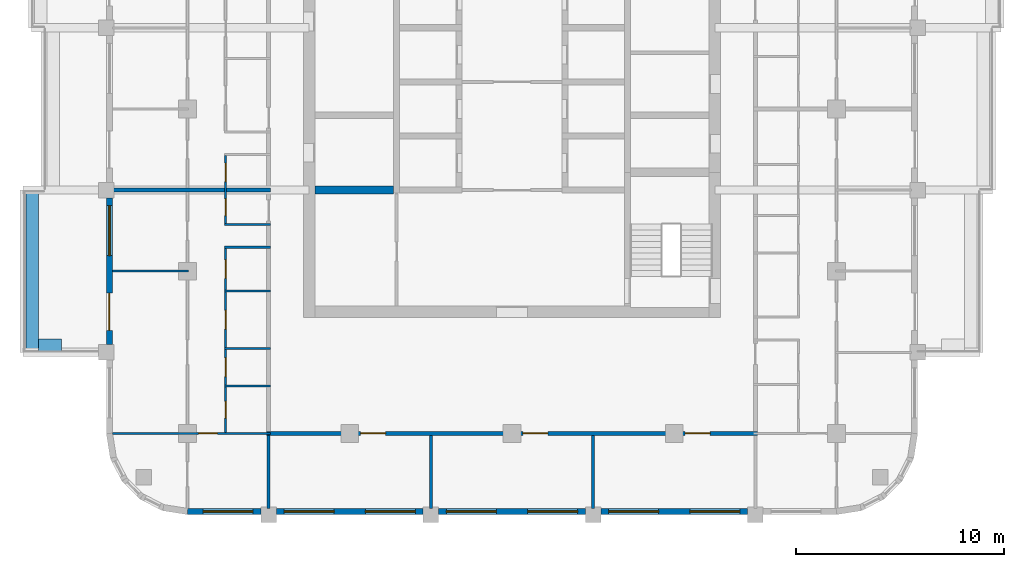
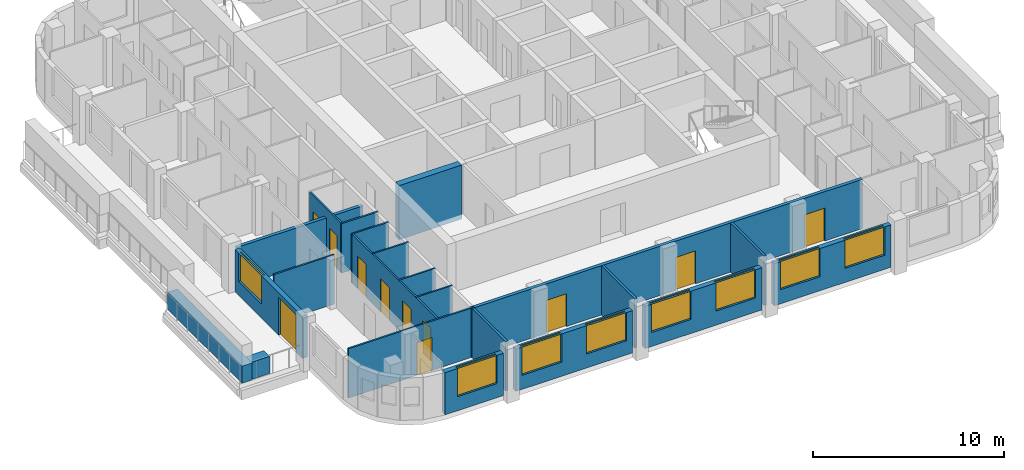
# One storey, part 2 of 13: 22 walls, 11 doors, 8 windows, 19 openings.
"""IFC4 building model written with IfcOpenShell, lengths in metres."""

import ifcopenshell
import ifcopenshell.guid

model = None  # the IFC model being written
_history = None  # IfcOwnerHistory: only IFC2X3 demands one
_inside = {}  # id of a spatial element -> (the spatial element, [elements in it])
_under = {}  # id of a project, library or spatial element -> (it, [spatial elements below it])
_declared = {}  # id of a project -> (the project, [libraries it declares])
_typed = {}  # id of a type object -> (the type object, [elements of that type])
_made_of = {}  # id of a material, layer set ... -> (it, [elements and type objects made of it])


def new_model(schema):
    """Start an empty IFC model of exactly this schema.

    Asked for "IFC4X3", IfcOpenShell would pick the latest addendum, in which some entities
    have other attributes; the version numbers below select the first issue.
    IFC2X3 requires an IfcOwnerHistory on every rooted entity: one is made here for all.
    """
    global model, _history
    if schema == "IFC4X3":
        model = ifcopenshell.file(schema_version=(4, 3, 0, 0))
    else:
        model = ifcopenshell.file(schema=schema)
    _inside.clear()
    _under.clear()
    _declared.clear()
    _typed.clear()
    _made_of.clear()
    _history = None
    if model.schema == "IFC2X3":
        org = make("IfcOrganization", Name="unknown")
        user = make(
            "IfcPersonAndOrganization",
            ThePerson=make("IfcPerson", FamilyName="unknown"),
            TheOrganization=org,
        )
        app = make(
            "IfcApplication",
            ApplicationDeveloper=org,
            Version="unknown",
            ApplicationFullName="unknown",
            ApplicationIdentifier="unknown",
        )
        _history = make(
            "IfcOwnerHistory",
            OwningUser=user,
            OwningApplication=app,
            ChangeAction="ADDED",
            CreationDate=0,
        )
    return model


def make(cls, **values):
    """One entity of the class cls with the attributes given. An attribute that is None is left unset."""
    return model.create_entity(
        cls, **{name: value for name, value in values.items() if value is not None}
    )


def rooted(cls, **values):
    """An entity with a GlobalId (a new one), such as an element, a storey or a relation."""
    return make(cls, GlobalId=ifcopenshell.guid.new(), OwnerHistory=_history, **values)


def si_unit(unit_type, name, prefix=None):
    """IfcSIUnit, for example si_unit("LENGTHUNIT", "METRE", prefix="MILLI")."""
    return make("IfcSIUnit", UnitType=unit_type, Prefix=prefix, Name=name)


def assignment(units):
    """IfcUnitAssignment: the units of a project."""
    return None if units is None else make("IfcUnitAssignment", Units=units)


def point(xyz):
    """IfcCartesianPoint."""
    return None if xyz is None else make("IfcCartesianPoint", Coordinates=xyz)


def direction(xyz):
    """IfcDirection."""
    return None if xyz is None else make("IfcDirection", DirectionRatios=xyz)


def frame(location, z_axis=None, x_axis=None):
    """IfcAxis2Placement3D, a coordinate frame: its origin and axes. An axis left out is left unset."""
    return make(
        "IfcAxis2Placement3D",
        Location=point(location),
        Axis=direction(z_axis),
        RefDirection=direction(x_axis),
    )


def frame_2d(location, x_axis=None):
    """IfcAxis2Placement2D, a coordinate frame in the plane: its origin and x axis."""
    return make(
        "IfcAxis2Placement2D", Location=point(location), RefDirection=direction(x_axis)
    )


def origin():
    """The frame at (0, 0, 0) with its axes left unset."""
    return frame((0.0, 0.0, 0.0))


def place(relative_to, where):
    """IfcLocalPlacement: puts the frame where relative to a parent placement (None: the world)."""
    return make(
        "IfcLocalPlacement", PlacementRelTo=relative_to, RelativePlacement=where
    )


def context(
    kind, dimensions, precision=None, world=None, true_north=None, identifier=None
):
    """IfcGeometricRepresentationContext, for example the 3D "Model" context."""
    return make(
        "IfcGeometricRepresentationContext",
        ContextIdentifier=identifier,
        ContextType=kind,
        CoordinateSpaceDimension=dimensions,
        Precision=precision,
        WorldCoordinateSystem=world,
        TrueNorth=true_north,
    )


def subcontext(parent, identifier, kind, view, scale=None):
    """IfcGeometricRepresentationSubContext, for example "Body" below "Model"."""
    return make(
        "IfcGeometricRepresentationSubContext",
        ContextIdentifier=identifier,
        ContextType=kind,
        ParentContext=parent,
        TargetScale=scale,
        TargetView=view,
    )


def project(units=None, contexts=None):
    """IfcProject with its units and contexts."""
    return rooted(
        "IfcProject",
        Name="project",
        RepresentationContexts=contexts,
        UnitsInContext=assignment(units),
    )


def spatial(cls, under=None, at=None, **own):
    """A site, building, storey or space (cls), placed at a placement, below another one or the project."""
    s = rooted(cls, ObjectPlacement=at, **own)
    if under is not None:
        _under.setdefault(under.id(), (under, []))[1].append(s)
    return s


def profile(cls, at=None, kind="AREA", **sizes):
    """A parametric profile (cls). Its sizes go by their IFC names, for example OverallWidth=200.0."""
    return make(cls, ProfileType=kind, Position=at, **sizes)


def rectangle(**sizes):
    """IfcRectangleProfileDef."""
    return profile("IfcRectangleProfileDef", **sizes)


def extrude(swept, where, along, depth):
    """IfcExtrudedAreaSolid: the profile swept, set in the frame where, extruded along a direction by depth."""
    return make(
        "IfcExtrudedAreaSolid",
        SweptArea=swept,
        Position=where,
        ExtrudedDirection=direction(along),
        Depth=depth,
    )


def shape(context_of_items, identifier, shape_type, items):
    """IfcShapeRepresentation: the items that make up one representation, for example the "Body"."""
    return make(
        "IfcShapeRepresentation",
        ContextOfItems=context_of_items,
        RepresentationIdentifier=identifier,
        RepresentationType=shape_type,
        Items=items,
    )


def material(Name=None, Category=None):
    """IfcMaterial."""
    return make("IfcMaterial", Name=Name, Category=Category)


def layer(
    of_material, thickness, ventilated=None, Name=None, Category=None, Priority=None
):
    """IfcMaterialLayer: one layer of a wall or slab, of a material (None: an air gap)."""
    return make(
        "IfcMaterialLayer",
        Material=of_material,
        LayerThickness=thickness,
        IsVentilated=ventilated,
        Name=Name,
        Category=Category,
        Priority=Priority,
    )


def layer_set(layers, Name=None):
    """IfcMaterialLayerSet."""
    return make("IfcMaterialLayerSet", MaterialLayers=layers, LayerSetName=Name)


def made_of(thing, what):
    """Note that an element or type object is made of a material, layer set ...; save() writes the relation."""
    if what is not None:
        _made_of.setdefault(what.id(), (what, []))[1].append(thing)
    return thing


def type_object(cls, material=None, **own):
    """A type object (cls), such as IfcWallType, which elements share."""
    return made_of(rooted(cls, **own), material)


def element(
    cls,
    number,
    at=None,
    inside=None,
    cuts=None,
    type_object=None,
    material=None,
    context=None,
    identifier="Body",
    shape_type=None,
    held_by="IfcProductDefinitionShape",
    body=None,
    shapes=None,
    **own,
):
    """One element of the class cls, such as IfcWall. Its Tag is "e" and its number.

    at: its placement. inside: the storey or other place that contains it. cuts: it is an
    opening in that element (IfcRelVoidsElement). A single representation is given by context,
    identifier, shape_type and body (its items); several are given by shapes. held_by: the class
    of the entity that holds the representations. save() writes the other relations.
    """
    e = rooted(cls, Tag="e%d" % number, ObjectPlacement=at, **own)
    if body is not None:
        shapes = [shape(context, identifier, shape_type, body)]
    if shapes is not None:
        e.Representation = make(held_by, Representations=shapes)
    if inside is not None:
        _inside.setdefault(inside.id(), (inside, []))[1].append(e)
    if cuts is not None:
        rooted(
            "IfcRelVoidsElement", RelatingBuildingElement=cuts, RelatedOpeningElement=e
        )
    if type_object is not None:
        _typed.setdefault(type_object.id(), (type_object, []))[1].append(e)
    return made_of(e, material)


def fill(opening, filler):
    """IfcRelFillsElement: the door or window that sits in an opening."""
    return rooted(
        "IfcRelFillsElement",
        RelatingOpeningElement=opening,
        RelatedBuildingElement=filler,
    )


def aggregate(whole, parts):
    """IfcRelAggregates: a whole, such as a stair, and the parts it consists of."""
    return rooted("IfcRelAggregates", RelatingObject=whole, RelatedObjects=parts)


def save(model, path):
    """Write the relations noted so far, then the file.

    IfcRelAggregates (storeys below a building ...), IfcRelContainedInSpatialStructure (elements
    in a storey), IfcRelDefinesByType, IfcRelAssociatesMaterial and IfcRelDeclares: one each for
    every whole, place, type object, material and project.
    """
    for whole, parts in _under.values():
        aggregate(whole, parts)
    for where, things in _inside.values():
        rooted(
            "IfcRelContainedInSpatialStructure",
            RelatedElements=things,
            RelatingStructure=where,
        )
    for kind, things in _typed.values():
        rooted("IfcRelDefinesByType", RelatedObjects=things, RelatingType=kind)
    for what, things in _made_of.values():
        rooted("IfcRelAssociatesMaterial", RelatedObjects=things, RelatingMaterial=what)
    for by, libraries in _declared.values():
        rooted("IfcRelDeclares", RelatingContext=by, RelatedDefinitions=libraries)
    model.write(path)


model = new_model("IFC4")

# Units and contexts
model_context = context("Model", 3, precision=1e-05, world=origin(), true_north=direction((0.0, 1.0)))
body_context = subcontext(model_context, "Body", "Model", "MODEL_VIEW")
ifc_project = project(units=[si_unit("LENGTHUNIT", "METRE"), si_unit("AREAUNIT", "SQUARE_METRE"), si_unit("VOLUMEUNIT", "CUBIC_METRE"), si_unit("PLANEANGLEUNIT", "RADIAN"), si_unit("MASSUNIT", "GRAM", prefix="KILO")], contexts=[model_context])

# Site, building, storey
site_placement = place(None, origin())
site = spatial("IfcSite", under=ifc_project, at=site_placement, CompositionType="ELEMENT")
building_placement = place(site_placement, origin())
building = spatial("IfcBuilding", under=site, at=building_placement, Name="Ludao Terraces", CompositionType="ELEMENT")
storey_placement = place(building_placement, frame((0.0, 0.0, 148.60009765625)))
storey = spatial("IfcBuildingStorey", under=building, at=storey_placement, Name="L40", CompositionType="ELEMENT", Elevation=148.60009765625)

# Walls
ifc_material_1 = material(Name="Concrete C40", Category="concrete")
ifc_layer_1 = layer(ifc_material_1, 0.60009765625)
ifc_layer_set_1 = layer_set([ifc_layer_1], Name="ENV Planter trough 600")
wall_type_1 = type_object("IfcWallType", Name="ENV Planter trough 600", PredefinedType="USERDEFINED", material=ifc_layer_set_1)
wall_1_placement = place(storey_placement, frame((61.949951171875, 53.300048828125, 0.0), z_axis=(0.0, 0.0, 1.0), x_axis=(0.0, 1.0, 0.0)))
element("IfcWall", 1, at=wall_1_placement, inside=storey, type_object=wall_type_1, Name="PL-L40-W1", ObjectType="PLANTER", PredefinedType="USERDEFINED", context=body_context, shape_type="SweptSolid", body=[
    extrude(rectangle(XDim=7.800048828125, YDim=0.60009765625, at=frame_2d((3.89990234375, 0.0))), origin(), (0.0, 0.0, 1.0), 1.099853515625),
])
wall_2_placement = place(storey_placement, frame((62.25, 53.64990234375, 0.0), z_axis=(0.0, 0.0, 1.0), x_axis=(1.0, 0.0, 0.0)))
element("IfcWall", 2, at=wall_2_placement, inside=storey, type_object=wall_type_1, Name="PL-L40-W1-SA", ObjectType="PLANTER", PredefinedType="USERDEFINED", context=body_context, shape_type="SweptSolid", body=[
    extrude(rectangle(XDim=1.10009765625, YDim=0.60009765625, at=frame_2d((0.550048828125, 0.0))), origin(), (0.0, 0.0, 1.0), 1.099853515625),
])

# Wall, opening, window
ifc_material_2 = material(Name="Granite cladding", Category="masonry")
ifc_layer_2 = layer(ifc_material_2, 0.0400390625, Category="stone")
ifc_material_3 = material(Name="Mineral wool")
ifc_layer_3 = layer(ifc_material_3, 0.06005859375)
ifc_layer_4 = layer(ifc_material_1, 0.199951171875, Category="concrete")
ifc_layer_set_2 = layer_set([ifc_layer_2, ifc_layer_3, ifc_layer_4], Name="ENV Stone-clad wall 300")
wall_type_2 = type_object("IfcWallType", Name="ENV Stone-clad wall 300", PredefinedType="SOLIDWALL", material=ifc_layer_set_2)
wall_3_placement = place(storey_placement, frame((69.39990234375, 45.64990234375, 0.0), z_axis=(0.0, 0.0, 1.0), x_axis=(1.0, 0.0, 0.0)))
wall_3 = element("IfcWall", 3, at=wall_3_placement, inside=storey, type_object=wall_type_2, Name="EW-L40-S1", PredefinedType="SOLIDWALL", context=body_context, shape_type="SweptSolid", body=[
    extrude(rectangle(XDim=3.525146484375, YDim=0.300048828125, at=frame_2d((1.7626953125, 0.0))), origin(), (0.0, 0.0, 1.0), 2.699951171875),
])
opening_1_placement = place(wall_3_placement, frame((0.75, 0.0, 0.89990234375)))
opening_1 = element("IfcOpeningElement", 4, at=opening_1_placement, cuts=wall_3, Name="Opening W1", PredefinedType="OPENING", context=body_context, shape_type="SweptSolid", body=[
    extrude(rectangle(XDim=2.39990234375, YDim=1.800048828125, at=frame_2d((1.199951171875, 0.89990234375))), frame((0.0, 0.16015625, 0.0), z_axis=(0.0, -1.0, 0.0), x_axis=(1.0, 0.0, 0.0)), (0.0, 0.0, 1.0), 0.320068359375),
])
ifc_material_4 = material(Name="Clear glass in aluminium frame", Category="aluminium")
ifc_layer_5 = layer(ifc_material_4, 0.06005859375)
ifc_layer_set_3 = layer_set([ifc_layer_5], Name="ENV Window W1 2400x1800")
window_type = type_object("IfcWindowType", Name="ENV Window W1 2400x1800", PartitioningType="DOUBLE_PANEL_VERTICAL", PredefinedType="WINDOW", material=ifc_layer_set_3)
window_1_placement = place(opening_1_placement, origin())
window_1 = element("IfcWindow", 5, at=window_1_placement, inside=storey, type_object=window_type, Name="W-L40-S1-1", OverallHeight=1.800048828125, OverallWidth=2.39990234375, PartitioningType="DOUBLE_PANEL_VERTICAL", PredefinedType="WINDOW", context=body_context, shape_type="SweptSolid", body=[
    extrude(rectangle(XDim=2.39990234375, YDim=1.800048828125, at=frame_2d((1.199951171875, 0.89990234375))), frame((0.0, 0.030029296875, 0.0), z_axis=(0.0, -1.0, 0.0), x_axis=(1.0, 0.0, 0.0)), (0.0, 0.0, 1.0), 0.06005859375),
])
fill(opening_1, window_1)

# Wall, openings, windows
wall_4_placement = place(storey_placement, frame((73.675048828125, 45.64990234375, 0.0), z_axis=(0.0, 0.0, 1.0), x_axis=(1.0, 0.0, 0.0)))
wall_4 = element("IfcWall", 6, at=wall_4_placement, inside=storey, type_object=wall_type_2, Name="EW-L40-S2", PredefinedType="SOLIDWALL", context=body_context, shape_type="SweptSolid", body=[
    extrude(rectangle(XDim=7.050048828125, YDim=0.300048828125, at=frame_2d((3.52490234375, 0.0))), origin(), (0.0, 0.0, 1.0), 2.699951171875),
])
opening_2_placement = place(wall_4_placement, frame((0.375, 0.0, 0.89990234375)))
opening_2 = element("IfcOpeningElement", 7, at=opening_2_placement, cuts=wall_4, Name="Opening W1", PredefinedType="OPENING", context=body_context, shape_type="SweptSolid", body=[
    extrude(rectangle(XDim=2.39990234375, YDim=1.800048828125, at=frame_2d((1.199951171875, 0.89990234375))), frame((0.0, 0.16015625, 0.0), z_axis=(0.0, -1.0, 0.0), x_axis=(1.0, 0.0, 0.0)), (0.0, 0.0, 1.0), 0.320068359375),
])
opening_3_placement = place(wall_4_placement, frame((4.27490234375, 0.0, 0.89990234375)))
opening_3 = element("IfcOpeningElement", 8, at=opening_3_placement, cuts=wall_4, Name="Opening W1", PredefinedType="OPENING", context=body_context, shape_type="SweptSolid", body=[
    extrude(rectangle(XDim=2.39990234375, YDim=1.800048828125, at=frame_2d((1.199951171875, 0.89990234375))), frame((0.0, 0.16015625, 0.0), z_axis=(0.0, -1.0, 0.0), x_axis=(1.0, 0.0, 0.0)), (0.0, 0.0, 1.0), 0.320068359375),
])
window_2_placement = place(opening_2_placement, origin())
window_2 = element("IfcWindow", 9, at=window_2_placement, inside=storey, type_object=window_type, Name="W-L40-S2-1", OverallHeight=1.800048828125, OverallWidth=2.39990234375, PartitioningType="DOUBLE_PANEL_VERTICAL", PredefinedType="WINDOW", context=body_context, shape_type="SweptSolid", body=[
    extrude(rectangle(XDim=2.39990234375, YDim=1.800048828125, at=frame_2d((1.199951171875, 0.89990234375))), frame((0.0, 0.030029296875, 0.0), z_axis=(0.0, -1.0, 0.0), x_axis=(1.0, 0.0, 0.0)), (0.0, 0.0, 1.0), 0.06005859375),
])
fill(opening_2, window_2)
window_3_placement = place(opening_3_placement, origin())
window_3 = element("IfcWindow", 10, at=window_3_placement, inside=storey, type_object=window_type, Name="W-L40-S2-2", OverallHeight=1.800048828125, OverallWidth=2.39990234375, PartitioningType="DOUBLE_PANEL_VERTICAL", PredefinedType="WINDOW", context=body_context, shape_type="SweptSolid", body=[
    extrude(rectangle(XDim=2.39990234375, YDim=1.800048828125, at=frame_2d((1.199951171875, 0.89990234375))), frame((0.0, 0.030029296875, 0.0), z_axis=(0.0, -1.0, 0.0), x_axis=(1.0, 0.0, 0.0)), (0.0, 0.0, 1.0), 0.06005859375),
])
fill(opening_3, window_3)

wall_5_placement = place(storey_placement, frame((81.47509765625, 45.64990234375, 0.0), z_axis=(0.0, 0.0, 1.0), x_axis=(1.0, 0.0, 0.0)))
wall_5 = element("IfcWall", 11, at=wall_5_placement, inside=storey, type_object=wall_type_2, Name="EW-L40-S3", PredefinedType="SOLIDWALL", context=body_context, shape_type="SweptSolid", body=[
    extrude(rectangle(XDim=7.0498046875, YDim=0.300048828125, at=frame_2d((3.52490234375, 0.0))), origin(), (0.0, 0.0, 1.0), 2.699951171875),
])
opening_4_placement = place(wall_5_placement, frame((0.375, 0.0, 0.89990234375)))
opening_4 = element("IfcOpeningElement", 12, at=opening_4_placement, cuts=wall_5, Name="Opening W1", PredefinedType="OPENING", context=body_context, shape_type="SweptSolid", body=[
    extrude(rectangle(XDim=2.39990234375, YDim=1.800048828125, at=frame_2d((1.199951171875, 0.89990234375))), frame((0.0, 0.16015625, 0.0), z_axis=(0.0, -1.0, 0.0), x_axis=(1.0, 0.0, 0.0)), (0.0, 0.0, 1.0), 0.320068359375),
])
opening_5_placement = place(wall_5_placement, frame((4.27490234375, 0.0, 0.89990234375)))
opening_5 = element("IfcOpeningElement", 13, at=opening_5_placement, cuts=wall_5, Name="Opening W1", PredefinedType="OPENING", context=body_context, shape_type="SweptSolid", body=[
    extrude(rectangle(XDim=2.39990234375, YDim=1.800048828125, at=frame_2d((1.199951171875, 0.89990234375))), frame((0.0, 0.16015625, 0.0), z_axis=(0.0, -1.0, 0.0), x_axis=(1.0, 0.0, 0.0)), (0.0, 0.0, 1.0), 0.320068359375),
])
window_4_placement = place(opening_4_placement, origin())
window_4 = element("IfcWindow", 14, at=window_4_placement, inside=storey, type_object=window_type, Name="W-L40-S3-1", OverallHeight=1.800048828125, OverallWidth=2.39990234375, PartitioningType="DOUBLE_PANEL_VERTICAL", PredefinedType="WINDOW", context=body_context, shape_type="SweptSolid", body=[
    extrude(rectangle(XDim=2.39990234375, YDim=1.800048828125, at=frame_2d((1.199951171875, 0.89990234375))), frame((0.0, 0.030029296875, 0.0), z_axis=(0.0, -1.0, 0.0), x_axis=(1.0, 0.0, 0.0)), (0.0, 0.0, 1.0), 0.06005859375),
])
fill(opening_4, window_4)
window_5_placement = place(opening_5_placement, origin())
window_5 = element("IfcWindow", 15, at=window_5_placement, inside=storey, type_object=window_type, Name="W-L40-S3-2", OverallHeight=1.800048828125, OverallWidth=2.39990234375, PartitioningType="DOUBLE_PANEL_VERTICAL", PredefinedType="WINDOW", context=body_context, shape_type="SweptSolid", body=[
    extrude(rectangle(XDim=2.39990234375, YDim=1.800048828125, at=frame_2d((1.199951171875, 0.89990234375))), frame((0.0, 0.030029296875, 0.0), z_axis=(0.0, -1.0, 0.0), x_axis=(1.0, 0.0, 0.0)), (0.0, 0.0, 1.0), 0.06005859375),
])
fill(opening_5, window_5)

wall_6_placement = place(storey_placement, frame((89.27490234375, 45.64990234375, 0.0), z_axis=(0.0, 0.0, 1.0), x_axis=(1.0, 0.0, 0.0)))
wall_6 = element("IfcWall", 16, at=wall_6_placement, inside=storey, type_object=wall_type_2, Name="EW-L40-S4", PredefinedType="SOLIDWALL", context=body_context, shape_type="SweptSolid", body=[
    extrude(rectangle(XDim=7.050048828125, YDim=0.300048828125, at=frame_2d((3.52490234375, 0.0))), origin(), (0.0, 0.0, 1.0), 2.699951171875),
])
opening_6_placement = place(wall_6_placement, frame((0.375, 0.0, 0.89990234375)))
opening_6 = element("IfcOpeningElement", 17, at=opening_6_placement, cuts=wall_6, Name="Opening W1", PredefinedType="OPENING", context=body_context, shape_type="SweptSolid", body=[
    extrude(rectangle(XDim=2.39990234375, YDim=1.800048828125, at=frame_2d((1.199951171875, 0.89990234375))), frame((0.0, 0.16015625, 0.0), z_axis=(0.0, -1.0, 0.0), x_axis=(1.0, 0.0, 0.0)), (0.0, 0.0, 1.0), 0.320068359375),
])
opening_7_placement = place(wall_6_placement, frame((4.27490234375, 0.0, 0.89990234375)))
opening_7 = element("IfcOpeningElement", 18, at=opening_7_placement, cuts=wall_6, Name="Opening W1", PredefinedType="OPENING", context=body_context, shape_type="SweptSolid", body=[
    extrude(rectangle(XDim=2.39990234375, YDim=1.800048828125, at=frame_2d((1.199951171875, 0.89990234375))), frame((0.0, 0.16015625, 0.0), z_axis=(0.0, -1.0, 0.0), x_axis=(1.0, 0.0, 0.0)), (0.0, 0.0, 1.0), 0.320068359375),
])
window_6_placement = place(opening_6_placement, origin())
window_6 = element("IfcWindow", 19, at=window_6_placement, inside=storey, type_object=window_type, Name="W-L40-S4-1", OverallHeight=1.800048828125, OverallWidth=2.39990234375, PartitioningType="DOUBLE_PANEL_VERTICAL", PredefinedType="WINDOW", context=body_context, shape_type="SweptSolid", body=[
    extrude(rectangle(XDim=2.39990234375, YDim=1.800048828125, at=frame_2d((1.199951171875, 0.89990234375))), frame((0.0, 0.030029296875, 0.0), z_axis=(0.0, -1.0, 0.0), x_axis=(1.0, 0.0, 0.0)), (0.0, 0.0, 1.0), 0.06005859375),
])
fill(opening_6, window_6)
window_7_placement = place(opening_7_placement, origin())
window_7 = element("IfcWindow", 20, at=window_7_placement, inside=storey, type_object=window_type, Name="W-L40-S4-2", OverallHeight=1.800048828125, OverallWidth=2.39990234375, PartitioningType="DOUBLE_PANEL_VERTICAL", PredefinedType="WINDOW", context=body_context, shape_type="SweptSolid", body=[
    extrude(rectangle(XDim=2.39990234375, YDim=1.800048828125, at=frame_2d((1.199951171875, 0.89990234375))), frame((0.0, 0.030029296875, 0.0), z_axis=(0.0, -1.0, 0.0), x_axis=(1.0, 0.0, 0.0)), (0.0, 0.0, 1.0), 0.06005859375),
])
fill(opening_7, window_7)

# Wall, openings, door, window
wall_7_placement = place(storey_placement, frame((65.64990234375, 53.675048828125, 0.0), z_axis=(0.0, 0.0, 1.0), x_axis=(0.0, 1.0, 0.0)))
wall_7 = element("IfcWall", 21, at=wall_7_placement, inside=storey, type_object=wall_type_2, Name="EW-L40-W2", PredefinedType="SOLIDWALL", context=body_context, shape_type="SweptSolid", body=[
    extrude(rectangle(XDim=7.050048828125, YDim=0.300048828125, at=frame_2d((3.52490234375, 0.0))), origin(), (0.0, 0.0, 1.0), 2.699951171875),
])
opening_8_placement = place(wall_7_placement, frame((0.675048828125, 0.0, 0.0)))
opening_8 = element("IfcOpeningElement", 22, at=opening_8_placement, cuts=wall_7, Name="Opening BD", PredefinedType="OPENING", context=body_context, shape_type="SweptSolid", body=[
    extrude(rectangle(XDim=1.800048828125, YDim=2.39990234375, at=frame_2d((0.89990234375, 1.199951171875))), frame((0.0, 0.16015625, 0.0), z_axis=(0.0, -1.0, 0.0), x_axis=(1.0, 0.0, 0.0)), (0.0, 0.0, 1.0), 0.320068359375),
])
opening_9_placement = place(wall_7_placement, frame((4.27490234375, 0.0, 0.89990234375)))
opening_9 = element("IfcOpeningElement", 23, at=opening_9_placement, cuts=wall_7, Name="Opening W1", PredefinedType="OPENING", context=body_context, shape_type="SweptSolid", body=[
    extrude(rectangle(XDim=2.39990234375, YDim=1.800048828125, at=frame_2d((1.199951171875, 0.89990234375))), frame((0.0, 0.16015625, 0.0), z_axis=(0.0, -1.0, 0.0), x_axis=(1.0, 0.0, 0.0)), (0.0, 0.0, 1.0), 0.320068359375),
])
ifc_material_5 = material(Name="Aluminium glazed door", Category="aluminium")
ifc_layer_6 = layer(ifc_material_5, 0.06005859375)
ifc_layer_set_4 = layer_set([ifc_layer_6], Name="ENV Balcony door BD 1800x2400")
door_type_1 = type_object("IfcDoorType", Name="ENV Balcony door BD 1800x2400", OperationType="DOUBLE_DOOR_SINGLE_SWING", PredefinedType="DOOR", material=ifc_layer_set_4)
door_1_placement = place(opening_8_placement, origin())
door_1 = element("IfcDoor", 24, at=door_1_placement, inside=storey, type_object=door_type_1, Name="BD-L40-W2-1", OperationType="DOUBLE_DOOR_SINGLE_SWING", OverallHeight=2.39990234375, OverallWidth=1.800048828125, PredefinedType="DOOR", context=body_context, shape_type="SweptSolid", body=[
    extrude(rectangle(XDim=1.800048828125, YDim=2.39990234375, at=frame_2d((0.89990234375, 1.199951171875))), frame((0.0, 0.02490234375, 0.0), z_axis=(0.0, -1.0, 0.0), x_axis=(1.0, 0.0, 0.0)), (0.0, 0.0, 1.0), 0.050048828125),
])
fill(opening_8, door_1)
window_8_placement = place(opening_9_placement, origin())
window_8 = element("IfcWindow", 25, at=window_8_placement, inside=storey, type_object=window_type, Name="W-L40-W2-2", OverallHeight=1.800048828125, OverallWidth=2.39990234375, PartitioningType="DOUBLE_PANEL_VERTICAL", PredefinedType="WINDOW", context=body_context, shape_type="SweptSolid", body=[
    extrude(rectangle(XDim=2.39990234375, YDim=1.800048828125, at=frame_2d((1.199951171875, 0.89990234375))), frame((0.0, 0.030029296875, 0.0), z_axis=(0.0, -1.0, 0.0), x_axis=(1.0, 0.0, 0.0)), (0.0, 0.0, 1.0), 0.06005859375),
])
fill(opening_9, window_8)

# Wall, openings, doors
ifc_material_6 = material(Name="Autoclaved aerated concrete block B06 A3.5", Category="concrete")
ifc_layer_7 = layer(ifc_material_6, 0.199951171875)
ifc_layer_set_5 = layer_set([ifc_layer_7], Name="INT Entrance wall 200")
wall_type_3 = type_object("IfcWallType", Name="INT Entrance wall 200", PredefinedType="PARTITIONING", material=ifc_layer_set_5)
wall_8_placement = place(storey_placement, frame((73.2001953125, 49.39990234375, 0.0), z_axis=(0.0, 0.0, 1.0), x_axis=(1.0, 0.0, 0.0)))
wall_8 = element("IfcWall", 26, at=wall_8_placement, inside=storey, type_object=wall_type_3, Name="PW-L40-PW001", PredefinedType="PARTITIONING", context=body_context, shape_type="SweptSolid", body=[
    extrude(rectangle(XDim=23.599853515625, YDim=0.199951171875, at=frame_2d((11.7998046875, 0.0))), origin(), (0.0, 0.0, 1.0), 3.14990234375),
])
opening_10_placement = place(wall_8_placement, frame((4.52490234375, 0.0, 0.0)))
opening_10 = element("IfcOpeningElement", 27, at=opening_10_placement, cuts=wall_8, Name="Opening R14-004", PredefinedType="OPENING", context=body_context, shape_type="SweptSolid", body=[
    extrude(rectangle(XDim=1.199951171875, YDim=2.10009765625, at=frame_2d((0.60009765625, 1.050048828125))), frame((0.0, 0.10986328125, 0.0), z_axis=(0.0, -1.0, 0.0), x_axis=(1.0, 0.0, 0.0)), (0.0, 0.0, 1.0), 0.219970703125),
])
opening_11_placement = place(wall_8_placement, frame((12.324951171875, 0.0, 0.0)))
opening_11 = element("IfcOpeningElement", 28, at=opening_11_placement, cuts=wall_8, Name="Opening R14-005", PredefinedType="OPENING", context=body_context, shape_type="SweptSolid", body=[
    extrude(rectangle(XDim=1.199951171875, YDim=2.10009765625, at=frame_2d((0.60009765625, 1.050048828125))), frame((0.0, 0.10986328125, 0.0), z_axis=(0.0, -1.0, 0.0), x_axis=(1.0, 0.0, 0.0)), (0.0, 0.0, 1.0), 0.219970703125),
])
opening_12_placement = place(wall_8_placement, frame((20.125, 0.0, 0.0)))
opening_12 = element("IfcOpeningElement", 29, at=opening_12_placement, cuts=wall_8, Name="Opening R14-006", PredefinedType="OPENING", context=body_context, shape_type="SweptSolid", body=[
    extrude(rectangle(XDim=1.199951171875, YDim=2.10009765625, at=frame_2d((0.60009765625, 1.050048828125))), frame((0.0, 0.10986328125, 0.0), z_axis=(0.0, -1.0, 0.0), x_axis=(1.0, 0.0, 0.0)), (0.0, 0.0, 1.0), 0.219970703125),
])
ifc_material_7 = material(Name="Timber door leaf", Category="wood")
door_type_2 = type_object("IfcDoorType", Name="INT Double door 1200", OperationType="DOUBLE_DOOR_SINGLE_SWING", PredefinedType="DOOR", material=ifc_material_7)
door_2_placement = place(opening_10_placement, origin())
door_2 = element("IfcDoor", 30, at=door_2_placement, inside=storey, type_object=door_type_2, Name="DOOR 004", OperationType="DOUBLE_DOOR_SINGLE_SWING", OverallHeight=2.10009765625, OverallWidth=1.199951171875, PredefinedType="DOOR", context=body_context, shape_type="SweptSolid", body=[
    extrude(rectangle(XDim=1.199951171875, YDim=2.10009765625, at=frame_2d((0.60009765625, 1.050048828125))), frame((0.0, 0.02490234375, 0.0), z_axis=(0.0, -1.0, 0.0), x_axis=(1.0, 0.0, 0.0)), (0.0, 0.0, 1.0), 0.050048828125),
])
fill(opening_10, door_2)
door_3_placement = place(opening_11_placement, origin())
door_3 = element("IfcDoor", 31, at=door_3_placement, inside=storey, type_object=door_type_2, Name="DOOR 005", OperationType="DOUBLE_DOOR_SINGLE_SWING", OverallHeight=2.10009765625, OverallWidth=1.199951171875, PredefinedType="DOOR", context=body_context, shape_type="SweptSolid", body=[
    extrude(rectangle(XDim=1.199951171875, YDim=2.10009765625, at=frame_2d((0.60009765625, 1.050048828125))), frame((0.0, 0.02490234375, 0.0), z_axis=(0.0, -1.0, 0.0), x_axis=(1.0, 0.0, 0.0)), (0.0, 0.0, 1.0), 0.050048828125),
])
fill(opening_11, door_3)
door_4_placement = place(opening_12_placement, origin())
door_4 = element("IfcDoor", 32, at=door_4_placement, inside=storey, type_object=door_type_2, Name="DOOR 006", OperationType="DOUBLE_DOOR_SINGLE_SWING", OverallHeight=2.10009765625, OverallWidth=1.199951171875, PredefinedType="DOOR", context=body_context, shape_type="SweptSolid", body=[
    extrude(rectangle(XDim=1.199951171875, YDim=2.10009765625, at=frame_2d((0.60009765625, 1.050048828125))), frame((0.0, 0.02490234375, 0.0), z_axis=(0.0, -1.0, 0.0), x_axis=(1.0, 0.0, 0.0)), (0.0, 0.0, 1.0), 0.050048828125),
])
fill(opening_12, door_4)

# Wall, opening, door
ifc_material_8 = material(Name="Gypsum plasterboard", Category="gypsum")
ifc_layer_8 = layer(ifc_material_8, 0.012451171875, Category="gypsum")
ifc_layer_9 = layer(ifc_material_3, 0.06005859375, Name="insulation")
ifc_material_9 = material(Name="Steel Q235", Category="steel")
ifc_layer_10 = layer(ifc_material_9, 0.014892578125, Name="stud")
ifc_layer_11 = layer(ifc_material_8, 0.012451171875, Category="gypsum")
ifc_layer_set_6 = layer_set([ifc_layer_8, ifc_layer_9, ifc_layer_10, ifc_layer_11], Name="INT Partition 100")
wall_type_4 = type_object("IfcWallType", Name="INT Partition 100", PredefinedType="PARTITIONING", material=ifc_layer_set_6)
wall_9_placement = place(storey_placement, frame((65.800048828125, 49.39990234375, 0.0), z_axis=(0.0, 0.0, 1.0), x_axis=(1.0, 0.0, 0.0)))
wall_9 = element("IfcWall", 33, at=wall_9_placement, inside=storey, type_object=wall_type_4, Name="PW-L40-PW000", PredefinedType="PARTITIONING", context=body_context, shape_type="SweptSolid", body=[
    extrude(rectangle(XDim=7.60009765625, YDim=0.10009765625, at=frame_2d((3.800048828125, 0.0))), origin(), (0.0, 0.0, 1.0), 3.14990234375),
])
opening_13_placement = place(wall_9_placement, frame((4.139892578125, 0.0, 0.0)))
opening_13 = element("IfcOpeningElement", 34, at=opening_13_placement, cuts=wall_9, Name="Opening R14-003", PredefinedType="OPENING", context=body_context, shape_type="SweptSolid", body=[
    extrude(rectangle(XDim=0.89990234375, YDim=2.10009765625, at=frame_2d((0.449951171875, 1.050048828125))), frame((0.0, 0.06005859375, 0.0), z_axis=(0.0, -1.0, 0.0), x_axis=(1.0, 0.0, 0.0)), (0.0, 0.0, 1.0), 0.1201171875),
])
door_type_3 = type_object("IfcDoorType", Name="INT Room door 900", OperationType="SINGLE_SWING_LEFT", PredefinedType="DOOR", material=ifc_material_7)
door_5_placement = place(opening_13_placement, origin())
door_5 = element("IfcDoor", 35, at=door_5_placement, inside=storey, type_object=door_type_3, Name="DOOR 003", OperationType="SINGLE_SWING_RIGHT", OverallHeight=2.10009765625, OverallWidth=0.89990234375, PredefinedType="DOOR", context=body_context, shape_type="SweptSolid", body=[
    extrude(rectangle(XDim=0.89990234375, YDim=2.10009765625, at=frame_2d((0.449951171875, 1.050048828125))), frame((0.0, 0.02490234375, 0.0), z_axis=(0.0, -1.0, 0.0), x_axis=(1.0, 0.0, 0.0)), (0.0, 0.0, 1.0), 0.050048828125),
])
fill(opening_13, door_5)

# Walls
for number, where, z_axis, x_axis, name in (
    (36, (71.18017578125, 51.679931640625, 0.0), (0.0, 0.0, 1.0), (1.0, 0.0, 0.0), "PW-L40-PW003"),
    (37, (71.18017578125, 53.47998046875, 0.0), (0.0, 0.0, 1.0), (1.0, 0.0, 0.0), "PW-L40-PW006"),
    (38, (71.18017578125, 56.25, 0.0), (0.0, 0.0, 1.0), (1.0, 0.0, 0.0), "PW-L40-PW009"),
):
    element("IfcWall", number, at=place(storey_placement, frame(where, z_axis=z_axis, x_axis=x_axis)), inside=storey, type_object=wall_type_4, Name=name, PredefinedType="PARTITIONING", context=body_context, shape_type="SweptSolid", body=[
        extrude(rectangle(XDim=2.219970703125, YDim=0.10009765625, at=frame_2d((1.10986328125, 0.0))), origin(), (0.0, 0.0, 1.0), 3.14990234375),
    ])
wall_10_placement = place(storey_placement, frame((65.800048828125, 57.199951171875, 0.0), z_axis=(0.0, 0.0, 1.0), x_axis=(1.0, 0.0, 0.0)))
element("IfcWall", 39, at=wall_10_placement, inside=storey, type_object=wall_type_4, Name="PW-L40-PW010", PredefinedType="PARTITIONING", context=body_context, shape_type="SweptSolid", body=[
    extrude(rectangle(XDim=3.650146484375, YDim=0.10009765625, at=frame_2d((1.8251953125, 0.0))), origin(), (0.0, 0.0, 1.0), 3.14990234375),
])
for number, where, z_axis, x_axis, name in (
    (40, (71.18017578125, 58.35009765625, 0.0), (0.0, 0.0, 1.0), (1.0, 0.0, 0.0), "PW-L40-PW013"),
    (41, (71.18017578125, 59.449951171875, 0.0), (0.0, 0.0, 1.0), (1.0, 0.0, 0.0), "PW-L40-PW014"),
):
    element("IfcWall", number, at=place(storey_placement, frame(where, z_axis=z_axis, x_axis=x_axis)), inside=storey, type_object=wall_type_4, Name=name, PredefinedType="PARTITIONING", context=body_context, shape_type="SweptSolid", body=[
        extrude(rectangle(XDim=2.219970703125, YDim=0.10009765625, at=frame_2d((1.10986328125, 0.0))), origin(), (0.0, 0.0, 1.0), 3.14990234375),
    ])

# Wall, openings, doors
wall_11_placement = place(storey_placement, frame((71.22998046875, 49.4501953125, 0.0), z_axis=(0.0, 0.0, 1.0), x_axis=(0.0, 1.0, 0.0)))
wall_11 = element("IfcWall", 42, at=wall_11_placement, inside=storey, type_object=wall_type_4, Name="PW-L40-PW049", PredefinedType="PARTITIONING", context=body_context, shape_type="SweptSolid", body=[
    extrude(rectangle(XDim=8.849853515625, YDim=0.10009765625, at=frame_2d((4.4248046875, 0.0))), origin(), (0.0, 0.0, 1.0), 3.14990234375),
])
opening_14_placement = place(wall_11_placement, frame((0.68994140625, 0.0, 0.0)))
opening_14 = element("IfcOpeningElement", 43, at=opening_14_placement, cuts=wall_11, Name="Opening R14-008", PredefinedType="OPENING", context=body_context, shape_type="SweptSolid", body=[
    extrude(rectangle(XDim=0.800048828125, YDim=2.10009765625, at=frame_2d((0.39990234375, 1.050048828125))), frame((0.0, 0.06005859375, 0.0), z_axis=(0.0, -1.0, 0.0), x_axis=(1.0, 0.0, 0.0)), (0.0, 0.0, 1.0), 0.1201171875),
])
opening_15_placement = place(wall_11_placement, frame((2.679931640625, 0.0, 0.0)))
opening_15 = element("IfcOpeningElement", 44, at=opening_15_placement, cuts=wall_11, Name="Opening R14-011", PredefinedType="OPENING", context=body_context, shape_type="SweptSolid", body=[
    extrude(rectangle(XDim=0.89990234375, YDim=2.10009765625, at=frame_2d((0.449951171875, 1.050048828125))), frame((0.0, 0.06005859375, 0.0), z_axis=(0.0, -1.0, 0.0), x_axis=(1.0, 0.0, 0.0)), (0.0, 0.0, 1.0), 0.1201171875),
])
opening_16_placement = place(wall_11_placement, frame((4.96484375, 0.0, 0.0)))
opening_16 = element("IfcOpeningElement", 45, at=opening_16_placement, cuts=wall_11, Name="Opening R14-015", PredefinedType="OPENING", context=body_context, shape_type="SweptSolid", body=[
    extrude(rectangle(XDim=0.89990234375, YDim=2.10009765625, at=frame_2d((0.449951171875, 1.050048828125))), frame((0.0, 0.06005859375, 0.0), z_axis=(0.0, -1.0, 0.0), x_axis=(1.0, 0.0, 0.0)), (0.0, 0.0, 1.0), 0.1201171875),
])
opening_17_placement = place(wall_11_placement, frame((7.39990234375, 0.0, 0.0)))
opening_17 = element("IfcOpeningElement", 46, at=opening_17_placement, cuts=wall_11, Name="Opening R14-021", PredefinedType="OPENING", context=body_context, shape_type="SweptSolid", body=[
    extrude(rectangle(XDim=0.89990234375, YDim=2.10009765625, at=frame_2d((0.449951171875, 1.050048828125))), frame((0.0, 0.06005859375, 0.0), z_axis=(0.0, -1.0, 0.0), x_axis=(1.0, 0.0, 0.0)), (0.0, 0.0, 1.0), 0.1201171875),
])
door_type_4 = type_object("IfcDoorType", Name="INT Bathroom door 900", OperationType="SINGLE_SWING_LEFT", PredefinedType="DOOR", material=ifc_material_7)
door_6_placement = place(opening_15_placement, origin())
door_6 = element("IfcDoor", 47, at=door_6_placement, inside=storey, type_object=door_type_4, Name="DOOR 011", OperationType="SINGLE_SWING_LEFT", OverallHeight=2.10009765625, OverallWidth=0.89990234375, PredefinedType="DOOR", context=body_context, shape_type="SweptSolid", body=[
    extrude(rectangle(XDim=0.89990234375, YDim=2.10009765625, at=frame_2d((0.449951171875, 1.050048828125))), frame((0.0, 0.02490234375, 0.0), z_axis=(0.0, -1.0, 0.0), x_axis=(1.0, 0.0, 0.0)), (0.0, 0.0, 1.0), 0.050048828125),
])
fill(opening_15, door_6)
door_7_placement = place(opening_17_placement, origin())
door_7 = element("IfcDoor", 48, at=door_7_placement, inside=storey, type_object=door_type_4, Name="DOOR 021", OperationType="SINGLE_SWING_LEFT", OverallHeight=2.10009765625, OverallWidth=0.89990234375, PredefinedType="DOOR", context=body_context, shape_type="SweptSolid", body=[
    extrude(rectangle(XDim=0.89990234375, YDim=2.10009765625, at=frame_2d((0.449951171875, 1.050048828125))), frame((0.0, 0.02490234375, 0.0), z_axis=(0.0, -1.0, 0.0), x_axis=(1.0, 0.0, 0.0)), (0.0, 0.0, 1.0), 0.050048828125),
])
fill(opening_17, door_7)
door_8_placement = place(opening_16_placement, origin())
door_8 = element("IfcDoor", 49, at=door_8_placement, inside=storey, type_object=door_type_3, Name="DOOR 015", OperationType="SINGLE_SWING_RIGHT", OverallHeight=2.10009765625, OverallWidth=0.89990234375, PredefinedType="DOOR", context=body_context, shape_type="SweptSolid", body=[
    extrude(rectangle(XDim=0.89990234375, YDim=2.10009765625, at=frame_2d((0.449951171875, 1.050048828125))), frame((0.0, 0.02490234375, 0.0), z_axis=(0.0, -1.0, 0.0), x_axis=(1.0, 0.0, 0.0)), (0.0, 0.0, 1.0), 0.050048828125),
])
fill(opening_16, door_8)
door_type_5 = type_object("IfcDoorType", Name="INT Store door 800", OperationType="SINGLE_SWING_LEFT", PredefinedType="DOOR", material=ifc_material_7)
door_9_placement = place(opening_14_placement, origin())
door_9 = element("IfcDoor", 50, at=door_9_placement, inside=storey, type_object=door_type_5, Name="DOOR 008", OperationType="SINGLE_SWING_RIGHT", OverallHeight=2.10009765625, OverallWidth=0.800048828125, PredefinedType="DOOR", context=body_context, shape_type="SweptSolid", body=[
    extrude(rectangle(XDim=0.800048828125, YDim=2.10009765625, at=frame_2d((0.39990234375, 1.050048828125))), frame((0.0, 0.02490234375, 0.0), z_axis=(0.0, -1.0, 0.0), x_axis=(1.0, 0.0, 0.0)), (0.0, 0.0, 1.0), 0.050048828125),
])
fill(opening_14, door_9)

wall_12_placement = place(storey_placement, frame((71.22998046875, 59.5, 0.0), z_axis=(0.0, 0.0, 1.0), x_axis=(0.0, 1.0, 0.0)))
wall_12 = element("IfcWall", 51, at=wall_12_placement, inside=storey, type_object=wall_type_4, Name="PW-L40-PW050", PredefinedType="PARTITIONING", context=body_context, shape_type="SweptSolid", body=[
    extrude(rectangle(XDim=3.25, YDim=0.10009765625, at=frame_2d((1.625, 0.0))), origin(), (0.0, 0.0, 1.0), 3.14990234375),
])
opening_18_placement = place(wall_12_placement, frame((0.375, 0.0, 0.0)))
opening_18 = element("IfcOpeningElement", 52, at=opening_18_placement, cuts=wall_12, Name="Opening R14-027", PredefinedType="OPENING", context=body_context, shape_type="SweptSolid", body=[
    extrude(rectangle(XDim=0.800048828125, YDim=2.10009765625, at=frame_2d((0.39990234375, 1.050048828125))), frame((0.0, 0.06005859375, 0.0), z_axis=(0.0, -1.0, 0.0), x_axis=(1.0, 0.0, 0.0)), (0.0, 0.0, 1.0), 0.1201171875),
])
opening_19_placement = place(wall_12_placement, frame((2.0, 0.0, 0.0)))
opening_19 = element("IfcOpeningElement", 53, at=opening_19_placement, cuts=wall_12, Name="Opening R14-030", PredefinedType="OPENING", context=body_context, shape_type="SweptSolid", body=[
    extrude(rectangle(XDim=0.89990234375, YDim=2.10009765625, at=frame_2d((0.449951171875, 1.050048828125))), frame((0.0, 0.06005859375, 0.0), z_axis=(0.0, -1.0, 0.0), x_axis=(1.0, 0.0, 0.0)), (0.0, 0.0, 1.0), 0.1201171875),
])
door_10_placement = place(opening_19_placement, origin())
door_10 = element("IfcDoor", 54, at=door_10_placement, inside=storey, type_object=door_type_4, Name="DOOR 030", OperationType="SINGLE_SWING_RIGHT", OverallHeight=2.10009765625, OverallWidth=0.89990234375, PredefinedType="DOOR", context=body_context, shape_type="SweptSolid", body=[
    extrude(rectangle(XDim=0.89990234375, YDim=2.10009765625, at=frame_2d((0.449951171875, 1.050048828125))), frame((0.0, 0.02490234375, 0.0), z_axis=(0.0, -1.0, 0.0), x_axis=(1.0, 0.0, 0.0)), (0.0, 0.0, 1.0), 0.050048828125),
])
fill(opening_19, door_10)
door_11_placement = place(opening_18_placement, origin())
door_11 = element("IfcDoor", 55, at=door_11_placement, inside=storey, type_object=door_type_5, Name="DOOR 027", OperationType="SINGLE_SWING_LEFT", OverallHeight=2.10009765625, OverallWidth=0.800048828125, PredefinedType="DOOR", context=body_context, shape_type="SweptSolid", body=[
    extrude(rectangle(XDim=0.800048828125, YDim=2.10009765625, at=frame_2d((0.39990234375, 1.050048828125))), frame((0.0, 0.02490234375, 0.0), z_axis=(0.0, -1.0, 0.0), x_axis=(1.0, 0.0, 0.0)), (0.0, 0.0, 1.0), 0.050048828125),
])
fill(opening_18, door_11)

# Walls
ifc_layer_12 = layer(ifc_material_6, 0.14990234375)
ifc_layer_set_7 = layer_set([ifc_layer_12], Name="INT Party wall 150")
wall_type_5 = type_object("IfcWallType", Name="INT Party wall 150", PredefinedType="PARTITIONING", material=ifc_layer_set_7)
for number, where, z_axis, x_axis, name in (
    (56, (73.300048828125, 45.800048828125, 0.0), (0.0, 0.0, 1.0), (0.0, 1.0, 0.0), "PW-L40-PW053"),
    (57, (81.10009765625, 45.800048828125, 0.0), (0.0, 0.0, 1.0), (0.0, 1.0, 0.0), "PW-L40-PW056"),
    (58, (88.89990234375, 45.800048828125, 0.0), (0.0, 0.0, 1.0), (0.0, 1.0, 0.0), "PW-L40-PW057"),
):
    element("IfcWall", number, at=place(storey_placement, frame(where, z_axis=z_axis, x_axis=x_axis)), inside=storey, type_object=wall_type_5, Name=name, PredefinedType="PARTITIONING", context=body_context, shape_type="SweptSolid", body=[
        extrude(rectangle(XDim=3.5, YDim=0.14990234375, at=frame_2d((1.75, 0.0))), origin(), (0.0, 0.0, 1.0), 3.14990234375),
    ])
ifc_layer_13 = layer(ifc_material_6, 0.199951171875)
ifc_layer_set_8 = layer_set([ifc_layer_13], Name="INT Party wall 200")
wall_type_6 = type_object("IfcWallType", Name="INT Party wall 200", PredefinedType="PARTITIONING", material=ifc_layer_set_8)
wall_13_placement = place(storey_placement, frame((65.800048828125, 61.10009765625, 0.0), z_axis=(0.0, 0.0, 1.0), x_axis=(1.0, 0.0, 0.0)))
element("IfcWall", 59, at=wall_13_placement, inside=storey, type_object=wall_type_6, Name="PW-L40-PW016", PredefinedType="PARTITIONING", context=body_context, shape_type="SweptSolid", body=[
    extrude(rectangle(XDim=7.60009765625, YDim=0.199951171875, at=frame_2d((3.800048828125, 0.0))), origin(), (0.0, 0.0, 1.0), 2.5498046875),
])
ifc_material_10 = material(Name="Concrete C55", Category="concrete")
ifc_layer_14 = layer(ifc_material_10, 0.39990234375)
ifc_layer_set_9 = layer_set([ifc_layer_14], Name="Shaft wall 400 C55")
wall_type_7 = type_object("IfcWallType", Name="Shaft wall 400 C55", PredefinedType="SOLIDWALL", material=ifc_layer_set_9)
wall_14_placement = place(storey_placement, frame((75.52490234375, 61.10009765625, -0.300048828125), z_axis=(0.0, 0.0, 1.0), x_axis=(1.0, 0.0, 0.0)))
element("IfcWall", 60, at=wall_14_placement, inside=storey, type_object=wall_type_7, Name="Core wall L40 hall-W", PredefinedType="SOLIDWALL", context=body_context, shape_type="SweptSolid", body=[
    extrude(rectangle(XDim=3.775146484375, YDim=0.39990234375, at=frame_2d((1.8876953125, 0.0))), origin(), (0.0, 0.0, 1.0), 3.449951171875),
])

save(model, "model.ifc")
